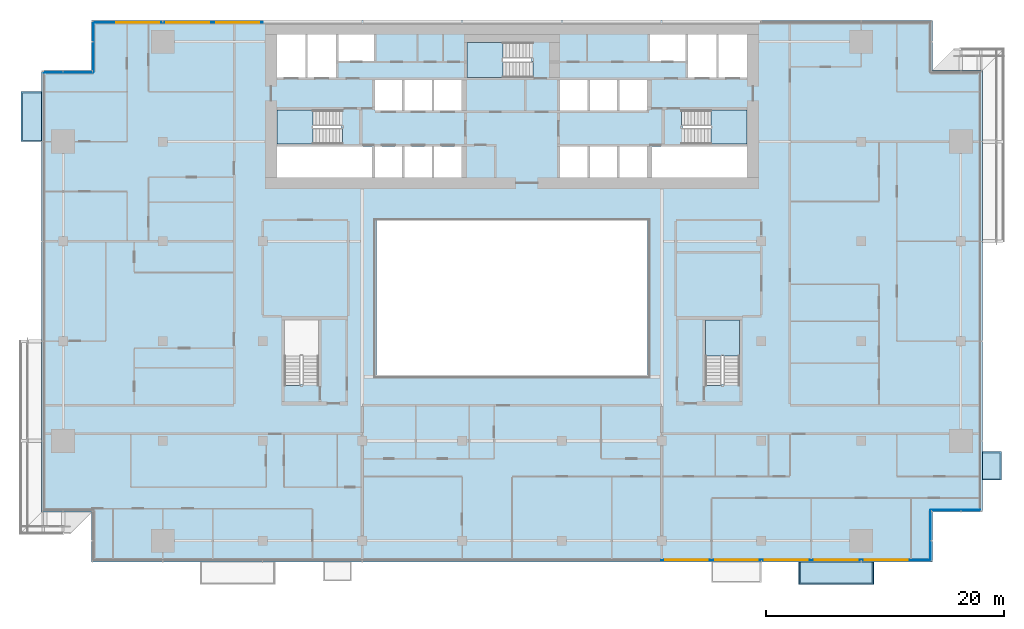
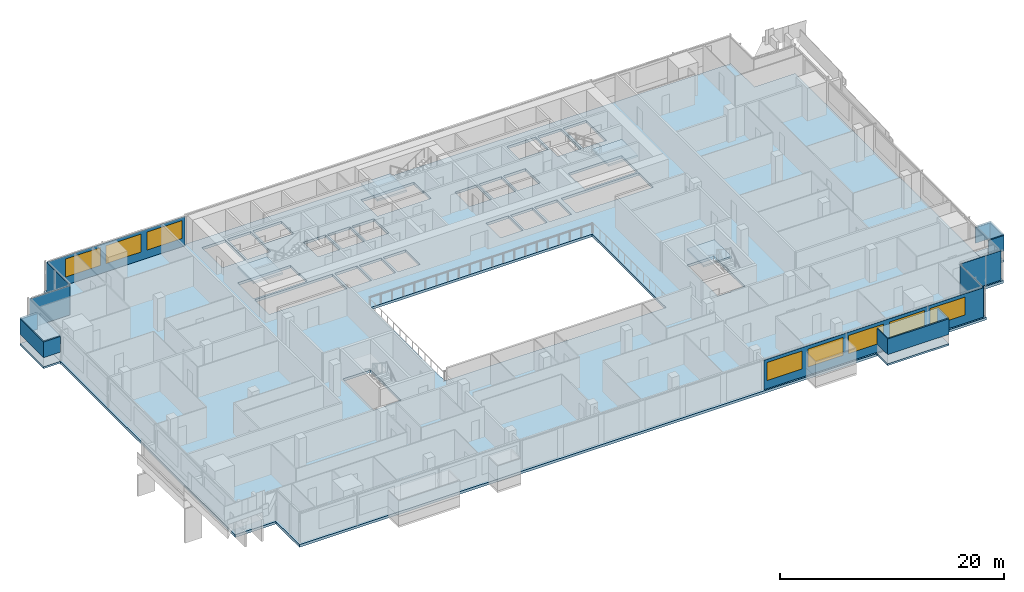
# One storey, part 16 of 29: 12 plates, 8 slabs, 8 windows, 8 openings, 10 elements without a shape of their own.
"""IFC4 building model written with IfcOpenShell, lengths in metres."""

from ifc_helpers import new_model, si_unit, direction, frame, frame_2d, origin, place, context, subcontext, project, spatial, polyline, rectangle, outline, extrude, material, layer, layer_set, type_object, element, fill, aggregate, save


model = new_model("IFC4")

# Units and contexts
model_context = context("Model", 3, precision=1e-05, world=origin(), true_north=direction((0.0, 1.0)))
body_context = subcontext(model_context, "Body", "Model", "MODEL_VIEW")
ifc_project = project(units=[si_unit("LENGTHUNIT", "METRE"), si_unit("AREAUNIT", "SQUARE_METRE"), si_unit("VOLUMEUNIT", "CUBIC_METRE"), si_unit("PLANEANGLEUNIT", "RADIAN"), si_unit("MASSUNIT", "GRAM", prefix="KILO")], contexts=[model_context])

# Site, building, storey
site_placement = place(None, origin())
site = spatial("IfcSite", under=ifc_project, at=site_placement, CompositionType="ELEMENT")
building_placement = place(site_placement, origin())
building = spatial("IfcBuilding", under=site, at=building_placement, Name="Saffron Gate Tower", CompositionType="ELEMENT")
storey_placement = place(building_placement, frame((0.0, 0.0, 113.25)))
storey = spatial("IfcBuildingStorey", under=building, at=storey_placement, Name="L26", CompositionType="ELEMENT", Elevation=113.25)

# Curtain wall, plate, openings, windows
ifc_material_1 = material(Name="Aluminium, bronze anodised", Category="aluminium")
curtain_wall_type_1 = type_object("IfcCurtainWallType", Name="CWS1 curtain wall front facade", PredefinedType="NOTDEFINED", material=ifc_material_1)
curtain_wall_1_placement = place(storey_placement, origin())
curtain_wall_1 = element("IfcCurtainWall", 1, at=curtain_wall_1_placement, inside=storey, type_object=curtain_wall_type_1, Name="CWS1 run 1", PredefinedType="NOTDEFINED")
ifc_material_2 = material(Name="Fritted bronze-tinted laminated glass", Category="glass")
ifc_layer_1 = layer(ifc_material_2, 0.028076171875)
ifc_layer_set_1 = layer_set([ifc_layer_1], Name="CWS1 fixed glass")
plate_type_1 = type_object("IfcPlateType", Name="CWS1 fixed glass", PredefinedType="CURTAIN_PANEL", material=ifc_layer_set_1)
plate_1_placement = place(storey_placement, frame((100.169921875, 30.174072265625, 0.0), z_axis=(0.0, 0.0, 1.0), x_axis=(1.0, 0.0, 0.0)))
plate_1 = element("IfcPlate", 2, at=plate_1_placement, type_object=plate_type_1, Name="CWS1 glass panel", PredefinedType="CURTAIN_PANEL", context=body_context, shape_type="SweptSolid", body=[
    extrude(rectangle(XDim=22.64208984375, YDim=0.028076171875, at=frame_2d((11.321044921875, 0.0))), origin(), (0.0, 0.0, 1.0), 3.199951171875),
])
opening_1_placement = place(plate_1_placement, frame((0.330078125, 0.0, 0.89990234375)))
opening_1 = element("IfcOpeningElement", 3, at=opening_1_placement, cuts=plate_1, Name="Opening W1", PredefinedType="OPENING", context=body_context, shape_type="SweptSolid", body=[
    extrude(rectangle(XDim=3.60009765625, YDim=1.949951171875, at=frame_2d((1.800048828125, 0.97509765625))), frame((0.0, 0.02392578125, 0.0), z_axis=(0.0, -1.0, 0.0), x_axis=(1.0, 0.0, 0.0)), (0.0, 0.0, 1.0), 0.048095703125),
])
opening_2_placement = place(plate_1_placement, frame((4.530029296875, 0.0, 0.89990234375)))
opening_2 = element("IfcOpeningElement", 4, at=opening_2_placement, cuts=plate_1, Name="Opening W1", PredefinedType="OPENING", context=body_context, shape_type="SweptSolid", body=[
    extrude(rectangle(XDim=3.60009765625, YDim=1.949951171875, at=frame_2d((1.800048828125, 0.97509765625))), frame((0.0, 0.02392578125, 0.0), z_axis=(0.0, -1.0, 0.0), x_axis=(1.0, 0.0, 0.0)), (0.0, 0.0, 1.0), 0.048095703125),
])
opening_3_placement = place(plate_1_placement, frame((8.72998046875, 0.0, 0.89990234375)))
opening_3 = element("IfcOpeningElement", 5, at=opening_3_placement, cuts=plate_1, Name="Opening W1", PredefinedType="OPENING", context=body_context, shape_type="SweptSolid", body=[
    extrude(rectangle(XDim=3.60009765625, YDim=1.949951171875, at=frame_2d((1.800048828125, 0.97509765625))), frame((0.0, 0.02392578125, 0.0), z_axis=(0.0, -1.0, 0.0), x_axis=(1.0, 0.0, 0.0)), (0.0, 0.0, 1.0), 0.048095703125),
])
opening_4_placement = place(plate_1_placement, frame((12.929931640625, 0.0, 0.89990234375)))
opening_4 = element("IfcOpeningElement", 6, at=opening_4_placement, cuts=plate_1, Name="Opening W1", PredefinedType="OPENING", context=body_context, shape_type="SweptSolid", body=[
    extrude(rectangle(XDim=3.60009765625, YDim=1.949951171875, at=frame_2d((1.800048828125, 0.97509765625))), frame((0.0, 0.02392578125, 0.0), z_axis=(0.0, -1.0, 0.0), x_axis=(1.0, 0.0, 0.0)), (0.0, 0.0, 1.0), 0.048095703125),
])
opening_5_placement = place(plate_1_placement, frame((17.1298828125, 0.0, 0.89990234375)))
opening_5 = element("IfcOpeningElement", 7, at=opening_5_placement, cuts=plate_1, Name="Opening W1", PredefinedType="OPENING", context=body_context, shape_type="SweptSolid", body=[
    extrude(rectangle(XDim=3.60009765625, YDim=1.949951171875, at=frame_2d((1.800048828125, 0.97509765625))), frame((0.0, 0.02392578125, 0.0), z_axis=(0.0, -1.0, 0.0), x_axis=(1.0, 0.0, 0.0)), (0.0, 0.0, 1.0), 0.048095703125),
])
ifc_material_3 = material(Name="Fritted bronze-tinted laminated glass in bronze frame", Category="glass")
ifc_layer_2 = layer(ifc_material_3, 0.06005859375)
ifc_layer_set_2 = layer_set([ifc_layer_2], Name="W1 operable panel 3600x1950")
window_type = type_object("IfcWindowType", Name="W1 operable panel 3600x1950", PartitioningType="DOUBLE_PANEL_HORIZONTAL", PredefinedType="WINDOW", material=ifc_layer_set_2)
window_1_placement = place(opening_1_placement, origin())
window_1 = element("IfcWindow", 8, at=window_1_placement, type_object=window_type, Name="W1 operable panel", OverallHeight=1.949951171875, OverallWidth=3.60009765625, PartitioningType="SINGLE_PANEL", PredefinedType="WINDOW", context=body_context, shape_type="SweptSolid", body=[
    extrude(rectangle(XDim=3.60009765625, YDim=1.949951171875, at=frame_2d((1.800048828125, 0.97509765625))), frame((0.0, 0.013671875, 0.0), z_axis=(0.0, -1.0, 0.0), x_axis=(1.0, 0.0, 0.0)), (0.0, 0.0, 1.0), 0.027587890625),
])
fill(opening_1, window_1)
window_2_placement = place(opening_2_placement, origin())
window_2 = element("IfcWindow", 9, at=window_2_placement, type_object=window_type, Name="W1 operable panel", OverallHeight=1.949951171875, OverallWidth=3.60009765625, PartitioningType="SINGLE_PANEL", PredefinedType="WINDOW", context=body_context, shape_type="SweptSolid", body=[
    extrude(rectangle(XDim=3.60009765625, YDim=1.949951171875, at=frame_2d((1.800048828125, 0.97509765625))), frame((0.0, 0.013671875, 0.0), z_axis=(0.0, -1.0, 0.0), x_axis=(1.0, 0.0, 0.0)), (0.0, 0.0, 1.0), 0.027587890625),
])
fill(opening_2, window_2)
window_3_placement = place(opening_3_placement, origin())
window_3 = element("IfcWindow", 10, at=window_3_placement, type_object=window_type, Name="W1 operable panel", OverallHeight=1.949951171875, OverallWidth=3.60009765625, PartitioningType="SINGLE_PANEL", PredefinedType="WINDOW", context=body_context, shape_type="SweptSolid", body=[
    extrude(rectangle(XDim=3.60009765625, YDim=1.949951171875, at=frame_2d((1.800048828125, 0.97509765625))), frame((0.0, 0.013671875, 0.0), z_axis=(0.0, -1.0, 0.0), x_axis=(1.0, 0.0, 0.0)), (0.0, 0.0, 1.0), 0.027587890625),
])
fill(opening_3, window_3)
window_4_placement = place(opening_4_placement, origin())
window_4 = element("IfcWindow", 11, at=window_4_placement, type_object=window_type, Name="W1 operable panel", OverallHeight=1.949951171875, OverallWidth=3.60009765625, PartitioningType="SINGLE_PANEL", PredefinedType="WINDOW", context=body_context, shape_type="SweptSolid", body=[
    extrude(rectangle(XDim=3.60009765625, YDim=1.949951171875, at=frame_2d((1.800048828125, 0.97509765625))), frame((0.0, 0.013671875, 0.0), z_axis=(0.0, -1.0, 0.0), x_axis=(1.0, 0.0, 0.0)), (0.0, 0.0, 1.0), 0.027587890625),
])
fill(opening_4, window_4)
window_5_placement = place(opening_5_placement, origin())
window_5 = element("IfcWindow", 12, at=window_5_placement, type_object=window_type, Name="W1 operable panel", OverallHeight=1.949951171875, OverallWidth=3.60009765625, PartitioningType="SINGLE_PANEL", PredefinedType="WINDOW", context=body_context, shape_type="SweptSolid", body=[
    extrude(rectangle(XDim=3.60009765625, YDim=1.949951171875, at=frame_2d((1.800048828125, 0.97509765625))), frame((0.0, 0.013671875, 0.0), z_axis=(0.0, -1.0, 0.0), x_axis=(1.0, 0.0, 0.0)), (0.0, 0.0, 1.0), 0.027587890625),
])
fill(opening_5, window_5)
aggregate(curtain_wall_1, [plate_1, window_1, window_2, window_3, window_4, window_5])

curtain_wall_type_2 = type_object("IfcCurtainWallType", Name="CWS3 curtain wall rear facade", PredefinedType="NOTDEFINED", material=ifc_material_1)
curtain_wall_2_placement = place(storey_placement, origin())
curtain_wall_2 = element("IfcCurtainWall", 13, at=curtain_wall_2_placement, inside=storey, type_object=curtain_wall_type_2, Name="CWS3 run 7", PredefinedType="NOTDEFINED")
ifc_material_4 = material(Name="Fritted grey-tinted laminated glass", Category="glass")
ifc_layer_3 = layer(ifc_material_4, 0.028076171875)
ifc_layer_set_3 = layer_set([ifc_layer_3], Name="CWS3 fixed glass")
plate_type_2 = type_object("IfcPlateType", Name="CWS3 fixed glass", PredefinedType="CURTAIN_PANEL", material=ifc_layer_set_3)
plate_2_placement = place(storey_placement, frame((66.635009765625, 75.426025390625, 0.0), z_axis=(0.0, 0.0, 1.0), x_axis=(-1.0, 0.0, 0.0)))
plate_2 = element("IfcPlate", 14, at=plate_2_placement, type_object=plate_type_2, Name="CWS3 glass panel", PredefinedType="CURTAIN_PANEL", context=body_context, shape_type="SweptSolid", body=[
    extrude(rectangle(XDim=14.2470703125, YDim=0.028076171875, at=frame_2d((7.12353515625, 0.0))), origin(), (0.0, 0.0, 1.0), 3.199951171875),
])
opening_6_placement = place(plate_2_placement, frame((0.3349609375, 0.0, 0.89990234375)))
opening_6 = element("IfcOpeningElement", 15, at=opening_6_placement, cuts=plate_2, Name="Opening W1", PredefinedType="OPENING", context=body_context, shape_type="SweptSolid", body=[
    extrude(rectangle(XDim=3.60009765625, YDim=1.949951171875, at=frame_2d((1.800048828125, 0.97509765625))), frame((0.0, 0.02392578125, 0.0), z_axis=(0.0, -1.0, 0.0), x_axis=(1.0, 0.0, 0.0)), (0.0, 0.0, 1.0), 0.048095703125),
])
opening_7_placement = place(plate_2_placement, frame((4.534912109375, 0.0, 0.89990234375)))
opening_7 = element("IfcOpeningElement", 16, at=opening_7_placement, cuts=plate_2, Name="Opening W1", PredefinedType="OPENING", context=body_context, shape_type="SweptSolid", body=[
    extrude(rectangle(XDim=3.60009765625, YDim=1.949951171875, at=frame_2d((1.800048828125, 0.97509765625))), frame((0.0, 0.02392578125, 0.0), z_axis=(0.0, -1.0, 0.0), x_axis=(1.0, 0.0, 0.0)), (0.0, 0.0, 1.0), 0.048095703125),
])
opening_8_placement = place(plate_2_placement, frame((8.735107421875, 0.0, 0.89990234375)))
opening_8 = element("IfcOpeningElement", 17, at=opening_8_placement, cuts=plate_2, Name="Opening W1", PredefinedType="OPENING", context=body_context, shape_type="SweptSolid", body=[
    extrude(rectangle(XDim=3.60009765625, YDim=1.949951171875, at=frame_2d((1.800048828125, 0.97509765625))), frame((0.0, 0.02392578125, 0.0), z_axis=(0.0, -1.0, 0.0), x_axis=(1.0, 0.0, 0.0)), (0.0, 0.0, 1.0), 0.048095703125),
])
window_6_placement = place(opening_6_placement, origin())
window_6 = element("IfcWindow", 18, at=window_6_placement, type_object=window_type, Name="W1 operable panel", OverallHeight=1.949951171875, OverallWidth=3.60009765625, PartitioningType="SINGLE_PANEL", PredefinedType="WINDOW", context=body_context, shape_type="SweptSolid", body=[
    extrude(rectangle(XDim=3.60009765625, YDim=1.949951171875, at=frame_2d((1.800048828125, 0.97509765625))), frame((0.0, 0.013671875, 0.0), z_axis=(0.0, -1.0, 0.0), x_axis=(1.0, 0.0, 0.0)), (0.0, 0.0, 1.0), 0.027587890625),
])
fill(opening_6, window_6)
window_7_placement = place(opening_7_placement, origin())
window_7 = element("IfcWindow", 19, at=window_7_placement, type_object=window_type, Name="W1 operable panel", OverallHeight=1.949951171875, OverallWidth=3.60009765625, PartitioningType="SINGLE_PANEL", PredefinedType="WINDOW", context=body_context, shape_type="SweptSolid", body=[
    extrude(rectangle(XDim=3.60009765625, YDim=1.949951171875, at=frame_2d((1.800048828125, 0.97509765625))), frame((0.0, 0.013671875, 0.0), z_axis=(0.0, -1.0, 0.0), x_axis=(1.0, 0.0, 0.0)), (0.0, 0.0, 1.0), 0.027587890625),
])
fill(opening_7, window_7)
window_8_placement = place(opening_8_placement, origin())
window_8 = element("IfcWindow", 20, at=window_8_placement, type_object=window_type, Name="W1 operable panel", OverallHeight=1.949951171875, OverallWidth=3.60009765625, PartitioningType="SINGLE_PANEL", PredefinedType="WINDOW", context=body_context, shape_type="SweptSolid", body=[
    extrude(rectangle(XDim=3.60009765625, YDim=1.949951171875, at=frame_2d((1.800048828125, 0.97509765625))), frame((0.0, 0.013671875, 0.0), z_axis=(0.0, -1.0, 0.0), x_axis=(1.0, 0.0, 0.0)), (0.0, 0.0, 1.0), 0.027587890625),
])
fill(opening_8, window_8)
aggregate(curtain_wall_2, [plate_2, window_6, window_7, window_8])

# Curtain wall, plate
curtain_wall_type_3 = type_object("IfcCurtainWallType", Name="CWS4 curtain wall corner returns", PredefinedType="NOTDEFINED", material=ifc_material_1)
curtain_wall_3_placement = place(storey_placement, origin())
curtain_wall_3 = element("IfcCurtainWall", 21, at=curtain_wall_3_placement, inside=storey, type_object=curtain_wall_type_3, Name="CWS4 run 2", PredefinedType="NOTDEFINED")
ifc_layer_4 = layer(ifc_material_2, 0.028076171875)
ifc_layer_set_4 = layer_set([ifc_layer_4], Name="CWS4 fixed glass")
plate_type_3 = type_object("IfcPlateType", Name="CWS4 fixed glass", PredefinedType="CURTAIN_PANEL", material=ifc_layer_set_4)
plate_3_placement = place(storey_placement, frame((122.825927734375, 30.18798828125, 0.0), z_axis=(0.0, 0.0, 1.0), x_axis=(0.0, 1.0, 0.0)))
plate_3 = element("IfcPlate", 22, at=plate_3_placement, type_object=plate_type_3, Name="CWS4 glass panel", PredefinedType="CURTAIN_PANEL", context=body_context, shape_type="SweptSolid", body=[
    extrude(rectangle(XDim=4.172119140625, YDim=0.028076171875, at=frame_2d((2.0859375, 0.0))), origin(), (0.0, 0.0, 1.0), 3.199951171875),
])
aggregate(curtain_wall_3, [plate_3])

curtain_wall_4_placement = place(storey_placement, origin())
curtain_wall_4 = element("IfcCurtainWall", 23, at=curtain_wall_4_placement, inside=storey, type_object=curtain_wall_type_3, Name="CWS4 run 3", PredefinedType="NOTDEFINED")
plate_4_placement = place(storey_placement, frame((122.840087890625, 34.3740234375, 0.0), z_axis=(0.0, 0.0, 1.0), x_axis=(1.0, 0.0, 0.0)))
plate_4 = element("IfcPlate", 24, at=plate_4_placement, type_object=plate_type_3, Name="CWS4 glass panel", PredefinedType="CURTAIN_PANEL", context=body_context, shape_type="SweptSolid", body=[
    extrude(rectangle(XDim=4.171875, YDim=0.028076171875, at=frame_2d((2.0859375, 0.0))), origin(), (0.0, 0.0, 1.0), 3.199951171875),
])
aggregate(curtain_wall_4, [plate_4])

curtain_wall_5_placement = place(storey_placement, origin())
curtain_wall_5 = element("IfcCurtainWall", 25, at=curtain_wall_5_placement, inside=storey, type_object=curtain_wall_type_3, Name="CWS4 run 8", PredefinedType="NOTDEFINED")
plate_5_placement = place(storey_placement, frame((52.3740234375, 75.412109375, 0.0), z_axis=(0.0, 0.0, 1.0), x_axis=(0.0, -1.0, 0.0)))
plate_5 = element("IfcPlate", 26, at=plate_5_placement, type_object=plate_type_3, Name="CWS4 glass panel", PredefinedType="CURTAIN_PANEL", context=body_context, shape_type="SweptSolid", body=[
    extrude(rectangle(XDim=4.172119140625, YDim=0.028076171875, at=frame_2d((2.0859375, 0.0))), origin(), (0.0, 0.0, 1.0), 3.199951171875),
])
aggregate(curtain_wall_5, [plate_5])

curtain_wall_6_placement = place(storey_placement, origin())
curtain_wall_6 = element("IfcCurtainWall", 27, at=curtain_wall_6_placement, inside=storey, type_object=curtain_wall_type_3, Name="CWS4 run 9", PredefinedType="NOTDEFINED")
plate_6_placement = place(storey_placement, frame((52.360107421875, 71.22607421875, 0.0), z_axis=(0.0, 0.0, 1.0), x_axis=(-1.0, 0.0, 0.0)))
plate_6 = element("IfcPlate", 28, at=plate_6_placement, type_object=plate_type_3, Name="CWS4 glass panel", PredefinedType="CURTAIN_PANEL", context=body_context, shape_type="SweptSolid", body=[
    extrude(rectangle(XDim=4.172119140625, YDim=0.028076171875, at=frame_2d((2.0859375, 0.0))), origin(), (0.0, 0.0, 1.0), 3.199951171875),
])
aggregate(curtain_wall_6, [plate_6])

# Slab
ifc_material_5 = material(Name="Concrete C40", Category="concrete")
ifc_layer_5 = layer(ifc_material_5, 0.280029296875)
ifc_layer_set_5 = layer_set([ifc_layer_5], Name="S2 FLOOR SLAB 280 CONCRETE C40")
slab_type_1 = type_object("IfcSlabType", Name="S2 FLOOR SLAB 280 CONCRETE C40", PredefinedType="FLOOR", material=ifc_layer_set_5)
slab_1_placement = place(storey_placement, frame((0.0, 0.0, -0.280029296875)))
element("IfcSlab", 29, at=slab_1_placement, inside=storey, type_object=slab_type_1, Name="S2 FLOOR SLAB", PredefinedType="FLOOR", context=body_context, shape_type="SweptSolid", body=[
    extrude(outline(polyline([(48.0, 34.199951171875), (52.199951171875, 34.199951171875), (52.199951171875, 30.0), (123.0, 30.0), (123.0, 34.199951171875), (127.199951171875, 34.199951171875), (127.199951171875, 71.39990234375), (123.0, 71.39990234375), (123.0, 75.60009765625), (52.199951171875, 75.60009765625), (52.199951171875, 71.39990234375), (48.0, 71.39990234375), (48.0, 34.199951171875)]), holes=[polyline([(67.800048828125, 62.39990234375), (67.800048828125, 65.0), (75.800048828125, 65.0), (75.800048828125, 62.39990234375), (67.800048828125, 62.39990234375)]), polyline([(67.800048828125, 65.199951171875), (67.800048828125, 68.050048828125), (73.25, 68.050048828125), (73.25, 66.550048828125), (73.34912109375, 66.550048828125), (73.34912109375, 65.199951171875), (67.800048828125, 65.199951171875)]), polyline([(67.800048828125, 70.800048828125), (67.800048828125, 74.39990234375), (70.199951171875, 74.39990234375), (70.199951171875, 70.800048828125), (67.800048828125, 70.800048828125)]), polyline([(68.449951171875, 44.85107421875), (68.449951171875, 50.39990234375), (71.300048828125, 50.39990234375), (71.300048828125, 44.949951171875), (69.800048828125, 44.949951171875), (69.800048828125, 44.85107421875), (68.449951171875, 44.85107421875)]), polyline([(70.39990234375, 70.800048828125), (70.39990234375, 74.39990234375), (72.800048828125, 74.39990234375), (72.800048828125, 70.800048828125), (70.39990234375, 70.800048828125)]), polyline([(73.0, 72.199951171875), (73.0, 74.39990234375), (76.0, 74.39990234375), (76.0, 72.199951171875), (73.0, 72.199951171875)]), polyline([(76.050048828125, 62.39990234375), (76.050048828125, 65.0), (78.35009765625, 65.0), (78.35009765625, 62.39990234375), (76.050048828125, 62.39990234375)]), polyline([(76.050048828125, 68.0), (76.050048828125, 70.60009765625), (78.35009765625, 70.60009765625), (78.35009765625, 68.0), (76.050048828125, 68.0)]), polyline([(76.199951171875, 45.60009765625), (76.199951171875, 58.800048828125), (99.0, 58.800048828125), (99.0, 45.60009765625), (76.199951171875, 45.60009765625)]), polyline([(78.550048828125, 62.39990234375), (78.550048828125, 65.0), (80.85009765625, 65.0), (80.85009765625, 62.39990234375), (78.550048828125, 62.39990234375)]), polyline([(78.550048828125, 68.0), (78.550048828125, 70.60009765625), (80.85009765625, 70.60009765625), (80.85009765625, 68.0), (78.550048828125, 68.0)]), polyline([(81.050048828125, 62.39990234375), (81.050048828125, 65.0), (83.35009765625, 65.0), (83.35009765625, 62.39990234375), (81.050048828125, 62.39990234375)]), polyline([(81.050048828125, 68.0), (81.050048828125, 70.60009765625), (83.35009765625, 70.60009765625), (83.35009765625, 68.0), (81.050048828125, 68.0)]), polyline([(83.800048828125, 70.800048828125), (83.800048828125, 73.75), (89.25, 73.75), (89.25, 72.14990234375), (89.34912109375, 72.14990234375), (89.34912109375, 70.800048828125), (83.800048828125, 70.800048828125)]), polyline([(91.64990234375, 62.39990234375), (91.64990234375, 65.0), (93.949951171875, 65.0), (93.949951171875, 62.39990234375), (91.64990234375, 62.39990234375)]), polyline([(91.64990234375, 68.0), (91.64990234375, 70.60009765625), (93.949951171875, 70.60009765625), (93.949951171875, 68.0), (91.64990234375, 68.0)]), polyline([(94.14990234375, 62.39990234375), (94.14990234375, 65.0), (96.449951171875, 65.0), (96.449951171875, 62.39990234375), (94.14990234375, 62.39990234375)]), polyline([(94.14990234375, 68.0), (94.14990234375, 70.60009765625), (96.449951171875, 70.60009765625), (96.449951171875, 68.0), (94.14990234375, 68.0)]), polyline([(96.64990234375, 62.39990234375), (96.64990234375, 65.0), (98.949951171875, 65.0), (98.949951171875, 62.39990234375), (96.64990234375, 62.39990234375)]), polyline([(96.64990234375, 68.0), (96.64990234375, 70.60009765625), (98.949951171875, 70.60009765625), (98.949951171875, 68.0), (96.64990234375, 68.0)]), polyline([(99.199951171875, 72.199951171875), (99.199951171875, 74.39990234375), (102.199951171875, 74.39990234375), (102.199951171875, 72.199951171875), (99.199951171875, 72.199951171875)]), polyline([(99.39990234375, 62.39990234375), (99.39990234375, 65.0), (107.39990234375, 65.0), (107.39990234375, 62.39990234375), (99.39990234375, 62.39990234375)]), polyline([(101.85107421875, 66.699951171875), (101.85107421875, 68.050048828125), (107.39990234375, 68.050048828125), (107.39990234375, 65.199951171875), (101.949951171875, 65.199951171875), (101.949951171875, 66.699951171875), (101.85107421875, 66.699951171875)]), polyline([(102.39990234375, 70.800048828125), (102.39990234375, 74.39990234375), (104.800048828125, 74.39990234375), (104.800048828125, 70.800048828125), (102.39990234375, 70.800048828125)]), polyline([(103.89990234375, 44.85107421875), (103.89990234375, 50.39990234375), (106.75, 50.39990234375), (106.75, 44.949951171875), (105.25, 44.949951171875), (105.25, 44.85107421875), (103.89990234375, 44.85107421875)]), polyline([(105.0, 70.800048828125), (105.0, 74.39990234375), (107.39990234375, 74.39990234375), (107.39990234375, 70.800048828125), (105.0, 70.800048828125)])]), origin(), (0.0, 0.0, 1.0), 0.280029296875),
])

# Stair, slab
stair_type = type_object("IfcStairType", Name="ST7 Stair 1350 wide, 20 risers of 180", PredefinedType="HALF_TURN_STAIR", material=ifc_material_5)
stair_1_placement = place(storey_placement, origin())
stair_1 = element("IfcStair", 30, at=stair_1_placement, inside=storey, type_object=stair_type, Name="L26 Exit stair A", PredefinedType="HALF_TURN_STAIR")
ifc_layer_6 = layer(ifc_material_5, 0.199951171875)
ifc_layer_set_6 = layer_set([ifc_layer_6], Name="SL1 Stair landing 200")
slab_type_2 = type_object("IfcSlabType", Name="SL1 Stair landing 200", PredefinedType="LANDING", material=ifc_layer_set_6)
slab_2_placement = place(storey_placement, frame((0.0, 0.0, 1.60009765625)))
slab_2 = element("IfcSlab", 31, at=slab_2_placement, type_object=slab_type_2, Name="ST-A landing 1", PredefinedType="LANDING", context=body_context, shape_type="SweptSolid", body=[
    extrude(outline(polyline([(70.830078125, 68.050048828125), (67.800048828125, 68.050048828125), (67.800048828125, 65.199951171875), (70.830078125, 65.199951171875), (70.830078125, 68.050048828125)])), origin(), (0.0, 0.0, 1.0), 0.199951171875),
])
aggregate(stair_1, [slab_2])

stair_2_placement = place(storey_placement, origin())
stair_2 = element("IfcStair", 32, at=stair_2_placement, inside=storey, type_object=stair_type, Name="L26 Exit stair B", PredefinedType="HALF_TURN_STAIR")
slab_3_placement = place(storey_placement, frame((0.0, 0.0, 1.60009765625)))
slab_3 = element("IfcSlab", 33, at=slab_3_placement, type_object=slab_type_2, Name="ST-B landing 1", PredefinedType="LANDING", context=body_context, shape_type="SweptSolid", body=[
    extrude(outline(polyline([(104.3701171875, 65.199951171875), (107.39990234375, 65.199951171875), (107.39990234375, 68.050048828125), (104.3701171875, 68.050048828125), (104.3701171875, 65.199951171875)])), origin(), (0.0, 0.0, 1.0), 0.199951171875),
])
aggregate(stair_2, [slab_3])

stair_3_placement = place(storey_placement, origin())
stair_3 = element("IfcStair", 34, at=stair_3_placement, inside=storey, type_object=stair_type, Name="L26 Exit stair C", PredefinedType="HALF_TURN_STAIR")
slab_4_placement = place(storey_placement, frame((0.0, 0.0, 1.60009765625)))
slab_4 = element("IfcSlab", 35, at=slab_4_placement, type_object=slab_type_2, Name="ST-C landing 1", PredefinedType="LANDING", context=body_context, shape_type="SweptSolid", body=[
    extrude(outline(polyline([(86.830078125, 73.75), (83.800048828125, 73.75), (83.800048828125, 70.800048828125), (86.830078125, 70.800048828125), (86.830078125, 73.75)])), origin(), (0.0, 0.0, 1.0), 0.199951171875),
])
aggregate(stair_3, [slab_4])

stair_4_placement = place(storey_placement, origin())
stair_4 = element("IfcStair", 36, at=stair_4_placement, inside=storey, type_object=stair_type, Name="L26 Exit stair E", PredefinedType="HALF_TURN_STAIR")
slab_5_placement = place(storey_placement, frame((0.0, 0.0, 1.60009765625)))
slab_5 = element("IfcSlab", 37, at=slab_5_placement, type_object=slab_type_2, Name="ST-E landing 1", PredefinedType="LANDING", context=body_context, shape_type="SweptSolid", body=[
    extrude(outline(polyline([(106.75, 47.3701171875), (106.75, 50.39990234375), (103.89990234375, 50.39990234375), (103.89990234375, 47.3701171875), (106.75, 47.3701171875)])), origin(), (0.0, 0.0, 1.0), 0.199951171875),
])
aggregate(stair_4, [slab_5])

# Slabs
ifc_material_6 = material(Name="Timber deck on bronze frame", Category="wood")
ifc_layer_7 = layer(ifc_material_6, 0.199951171875)
ifc_layer_set_7 = layer_set([ifc_layer_7], Name="WB1 box floor")
slab_type_3 = type_object("IfcSlabType", Name="WB1 box floor", PredefinedType="FLOOR", material=ifc_layer_set_7)
slab_6_placement = place(storey_placement, frame((0.0, 0.0, -0.199951171875)))
element("IfcSlab", 38, at=slab_6_placement, inside=storey, type_object=slab_type_3, Name="WINDOW BOX floor", PredefinedType="FLOOR", context=body_context, shape_type="SweptSolid", body=[
    extrude(outline(polyline([(111.75, 30.0), (118.050048828125, 30.0), (118.050048828125, 28.133056640625), (111.75, 28.133056640625), (111.75, 30.0)])), origin(), (0.0, 0.0, 1.0), 0.199951171875),
])
slab_7_placement = place(storey_placement, frame((0.0, 0.0, -0.199951171875)))
element("IfcSlab", 39, at=slab_7_placement, inside=storey, type_object=slab_type_3, Name="WINDOW BOX floor", PredefinedType="FLOOR", context=body_context, shape_type="SweptSolid", body=[
    extrude(outline(polyline([(127.199951171875, 36.89990234375), (127.199951171875, 39.300048828125), (128.800048828125, 39.300048828125), (128.800048828125, 36.89990234375), (127.199951171875, 36.89990234375)])), origin(), (0.0, 0.0, 1.0), 0.199951171875),
])
slab_8_placement = place(storey_placement, frame((0.0, 0.0, -0.199951171875)))
element("IfcSlab", 40, at=slab_8_placement, inside=storey, type_object=slab_type_3, Name="WINDOW BOX floor", PredefinedType="FLOOR", context=body_context, shape_type="SweptSolid", body=[
    extrude(outline(polyline([(48.0, 69.60009765625), (48.0, 65.39990234375), (46.26708984375, 65.39990234375), (46.26708984375, 69.60009765625), (48.0, 69.60009765625)])), origin(), (0.0, 0.0, 1.0), 0.199951171875),
])

# Plates
ifc_layer_8 = layer(ifc_material_1, 0.1201171875)
ifc_layer_set_8 = layer_set([ifc_layer_8], Name="WB2 box roof")
plate_type_4 = type_object("IfcPlateType", Name="WB2 box roof", PredefinedType="SHEET", material=ifc_layer_set_8)
plate_7_placement = place(storey_placement, frame((0.0, 0.0, 2.699951171875)))
element("IfcPlate", 41, at=plate_7_placement, inside=storey, type_object=plate_type_4, Name="WINDOW BOX roof", PredefinedType="SHEET", context=body_context, shape_type="SweptSolid", body=[
    extrude(outline(polyline([(111.75, 30.0), (118.050048828125, 30.0), (118.050048828125, 28.133056640625), (111.75, 28.133056640625), (111.75, 30.0)])), origin(), (0.0, 0.0, 1.0), 0.1201171875),
])
plate_8_placement = place(storey_placement, frame((0.0, 0.0, 2.699951171875)))
element("IfcPlate", 42, at=plate_8_placement, inside=storey, type_object=plate_type_4, Name="WINDOW BOX roof", PredefinedType="SHEET", context=body_context, shape_type="SweptSolid", body=[
    extrude(outline(polyline([(127.199951171875, 36.89990234375), (127.199951171875, 39.300048828125), (128.800048828125, 39.300048828125), (128.800048828125, 36.89990234375), (127.199951171875, 36.89990234375)])), origin(), (0.0, 0.0, 1.0), 0.1201171875),
])
plate_9_placement = place(storey_placement, frame((0.0, 0.0, 2.699951171875)))
element("IfcPlate", 43, at=plate_9_placement, inside=storey, type_object=plate_type_4, Name="WINDOW BOX roof", PredefinedType="SHEET", context=body_context, shape_type="SweptSolid", body=[
    extrude(outline(polyline([(48.0, 69.60009765625), (48.0, 65.39990234375), (46.26708984375, 65.39990234375), (46.26708984375, 69.60009765625), (48.0, 69.60009765625)])), origin(), (0.0, 0.0, 1.0), 0.1201171875),
])
ifc_material_7 = material(Name="Clear low-iron laminated glass", Category="glass")
ifc_layer_9 = layer(ifc_material_7, 0.10009765625)
ifc_layer_set_9 = layer_set([ifc_layer_9], Name="WB6 box glazing")
plate_type_5 = type_object("IfcPlateType", Name="WB6 box glazing", PredefinedType="SHEET", material=ifc_layer_set_9)
plate_10_placement = place(storey_placement, frame((0.0, 0.0, 1.0)))
element("IfcPlate", 44, at=plate_10_placement, inside=storey, type_object=plate_type_5, Name="WINDOW BOX glazing", PredefinedType="SHEET", context=body_context, shape_type="SweptSolid", body=[
    extrude(outline(polyline([(111.75, 30.0), (111.85009765625, 30.0), (111.85009765625, 28.23291015625), (117.949951171875, 28.23291015625), (117.949951171875, 30.0), (118.050048828125, 30.0), (118.050048828125, 28.133056640625), (111.75, 28.133056640625), (111.75, 30.0)])), origin(), (0.0, 0.0, 1.0), 1.699951171875),
])
plate_11_placement = place(storey_placement, frame((0.0, 0.0, 1.0)))
element("IfcPlate", 45, at=plate_11_placement, inside=storey, type_object=plate_type_5, Name="WINDOW BOX glazing", PredefinedType="SHEET", context=body_context, shape_type="SweptSolid", body=[
    extrude(outline(polyline([(127.199951171875, 36.89990234375), (127.199951171875, 37.0), (128.699951171875, 37.0), (128.699951171875, 39.199951171875), (127.199951171875, 39.199951171875), (127.199951171875, 39.300048828125), (128.800048828125, 39.300048828125), (128.800048828125, 36.89990234375), (127.199951171875, 36.89990234375)])), origin(), (0.0, 0.0, 1.0), 1.699951171875),
])
plate_12_placement = place(storey_placement, frame((0.0, 0.0, 1.0)))
element("IfcPlate", 46, at=plate_12_placement, inside=storey, type_object=plate_type_5, Name="WINDOW BOX glazing", PredefinedType="SHEET", context=body_context, shape_type="SweptSolid", body=[
    extrude(outline(polyline([(48.0, 69.60009765625), (48.0, 69.5), (46.366943359375, 69.5), (46.366943359375, 65.5), (48.0, 65.5), (48.0, 65.39990234375), (46.26708984375, 65.39990234375), (46.26708984375, 69.60009765625), (48.0, 69.60009765625)])), origin(), (0.0, 0.0, 1.0), 1.699951171875),
])

save(model, "model.ifc")
